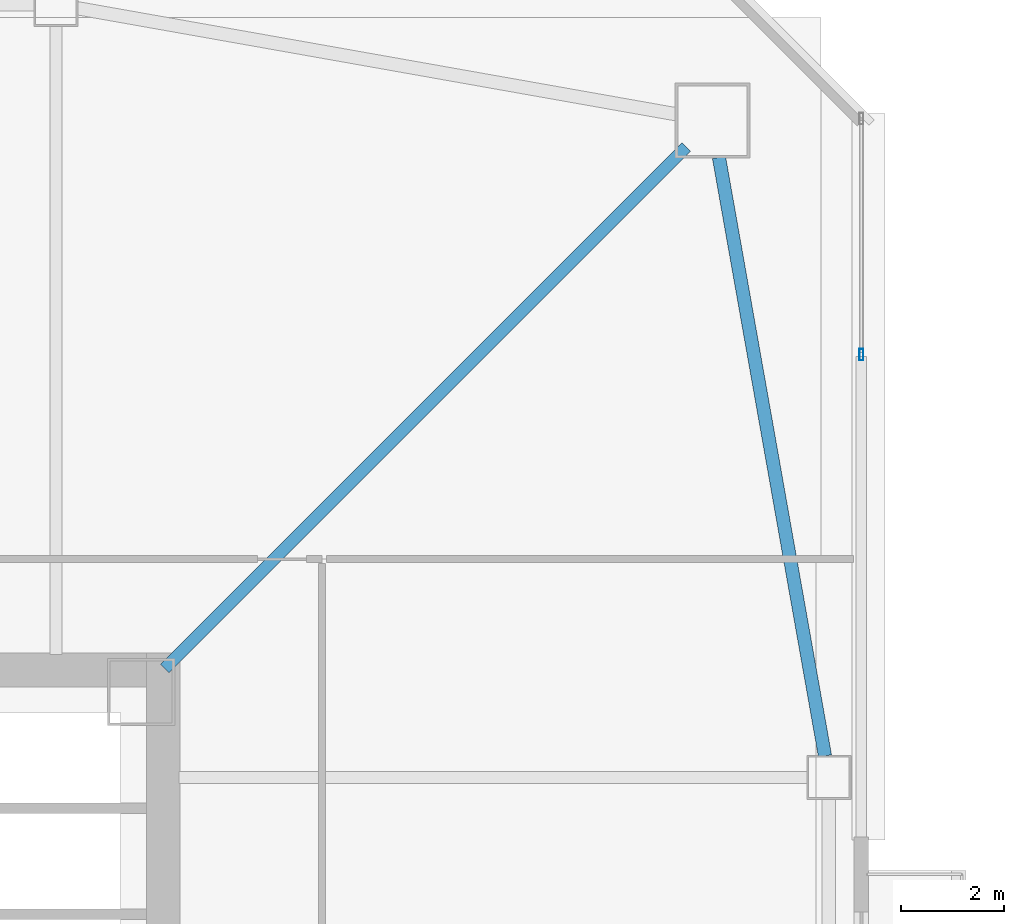
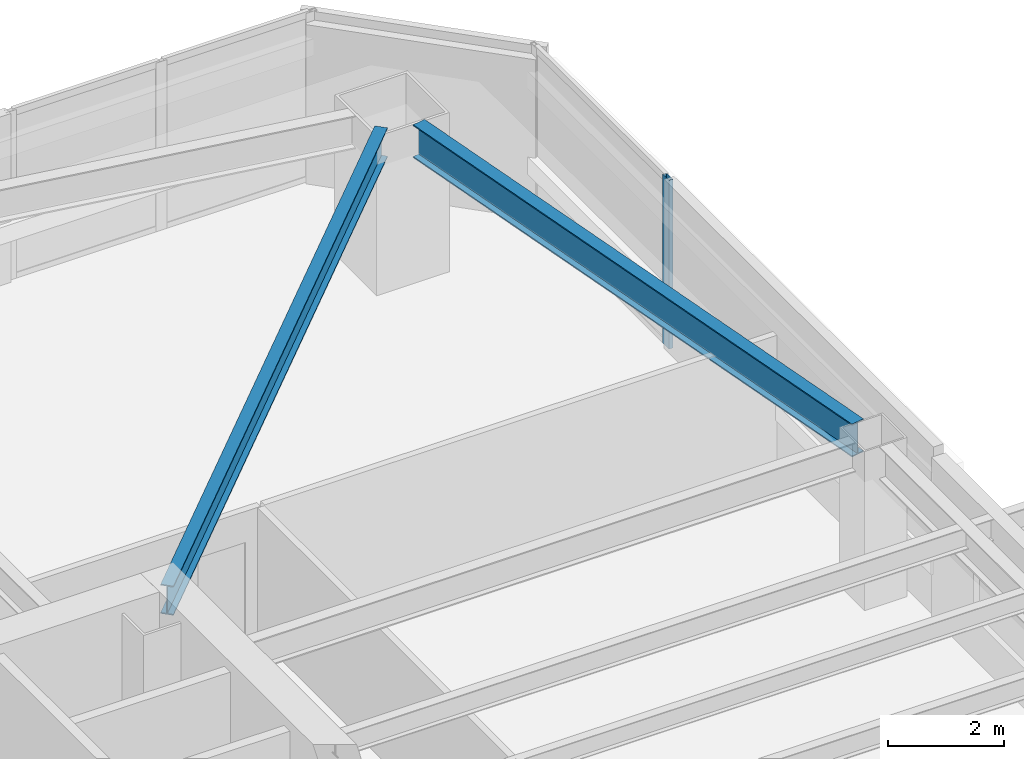
# One storey, part 14 of 44: 2 beams, 1 member, 1 element without a shape of its own.
"""IFC4 building model written with IfcOpenShell, lengths in metres."""

import ifcopenshell
import ifcopenshell.guid

model = None  # the IFC model being written
_history = None  # IfcOwnerHistory: only IFC2X3 demands one
_inside = {}  # id of a spatial element -> (the spatial element, [elements in it])
_under = {}  # id of a project, library or spatial element -> (it, [spatial elements below it])
_declared = {}  # id of a project -> (the project, [libraries it declares])
_typed = {}  # id of a type object -> (the type object, [elements of that type])
_made_of = {}  # id of a material, layer set ... -> (it, [elements and type objects made of it])


def new_model(schema):
    """Start an empty IFC model of exactly this schema.

    Asked for "IFC4X3", IfcOpenShell would pick the latest addendum, in which some entities
    have other attributes; the version numbers below select the first issue.
    IFC2X3 requires an IfcOwnerHistory on every rooted entity: one is made here for all.
    """
    global model, _history
    if schema == "IFC4X3":
        model = ifcopenshell.file(schema_version=(4, 3, 0, 0))
    else:
        model = ifcopenshell.file(schema=schema)
    _inside.clear()
    _under.clear()
    _declared.clear()
    _typed.clear()
    _made_of.clear()
    _history = None
    if model.schema == "IFC2X3":
        org = make("IfcOrganization", Name="unknown")
        user = make(
            "IfcPersonAndOrganization",
            ThePerson=make("IfcPerson", FamilyName="unknown"),
            TheOrganization=org,
        )
        app = make(
            "IfcApplication",
            ApplicationDeveloper=org,
            Version="unknown",
            ApplicationFullName="unknown",
            ApplicationIdentifier="unknown",
        )
        _history = make(
            "IfcOwnerHistory",
            OwningUser=user,
            OwningApplication=app,
            ChangeAction="ADDED",
            CreationDate=0,
        )
    return model


def make(cls, **values):
    """One entity of the class cls with the attributes given. An attribute that is None is left unset."""
    return model.create_entity(
        cls, **{name: value for name, value in values.items() if value is not None}
    )


def rooted(cls, **values):
    """An entity with a GlobalId (a new one), such as an element, a storey or a relation."""
    return make(cls, GlobalId=ifcopenshell.guid.new(), OwnerHistory=_history, **values)


def si_unit(unit_type, name, prefix=None):
    """IfcSIUnit, for example si_unit("LENGTHUNIT", "METRE", prefix="MILLI")."""
    return make("IfcSIUnit", UnitType=unit_type, Prefix=prefix, Name=name)


def assignment(units):
    """IfcUnitAssignment: the units of a project."""
    return None if units is None else make("IfcUnitAssignment", Units=units)


def point(xyz):
    """IfcCartesianPoint."""
    return None if xyz is None else make("IfcCartesianPoint", Coordinates=xyz)


def direction(xyz):
    """IfcDirection."""
    return None if xyz is None else make("IfcDirection", DirectionRatios=xyz)


def frame(location, z_axis=None, x_axis=None):
    """IfcAxis2Placement3D, a coordinate frame: its origin and axes. An axis left out is left unset."""
    return make(
        "IfcAxis2Placement3D",
        Location=point(location),
        Axis=direction(z_axis),
        RefDirection=direction(x_axis),
    )


def frame_2d(location, x_axis=None):
    """IfcAxis2Placement2D, a coordinate frame in the plane: its origin and x axis."""
    return make(
        "IfcAxis2Placement2D", Location=point(location), RefDirection=direction(x_axis)
    )


def origin():
    """The frame at (0, 0, 0) with its axes left unset."""
    return frame((0.0, 0.0, 0.0))


def origin_2d():
    """The frame at (0, 0) in the plane with its x axis left unset."""
    return frame_2d((0.0, 0.0))


def place(relative_to, where):
    """IfcLocalPlacement: puts the frame where relative to a parent placement (None: the world)."""
    return make(
        "IfcLocalPlacement", PlacementRelTo=relative_to, RelativePlacement=where
    )


def context(
    kind, dimensions, precision=None, world=None, true_north=None, identifier=None
):
    """IfcGeometricRepresentationContext, for example the 3D "Model" context."""
    return make(
        "IfcGeometricRepresentationContext",
        ContextIdentifier=identifier,
        ContextType=kind,
        CoordinateSpaceDimension=dimensions,
        Precision=precision,
        WorldCoordinateSystem=world,
        TrueNorth=true_north,
    )


def subcontext(parent, identifier, kind, view, scale=None):
    """IfcGeometricRepresentationSubContext, for example "Body" below "Model"."""
    return make(
        "IfcGeometricRepresentationSubContext",
        ContextIdentifier=identifier,
        ContextType=kind,
        ParentContext=parent,
        TargetScale=scale,
        TargetView=view,
    )


def project(units=None, contexts=None):
    """IfcProject with its units and contexts."""
    return rooted(
        "IfcProject",
        Name="project",
        RepresentationContexts=contexts,
        UnitsInContext=assignment(units),
    )


def spatial(cls, under=None, at=None, **own):
    """A site, building, storey or space (cls), placed at a placement, below another one or the project."""
    s = rooted(cls, ObjectPlacement=at, **own)
    if under is not None:
        _under.setdefault(under.id(), (under, []))[1].append(s)
    return s


def profile(cls, at=None, kind="AREA", **sizes):
    """A parametric profile (cls). Its sizes go by their IFC names, for example OverallWidth=200.0."""
    return make(cls, ProfileType=kind, Position=at, **sizes)


def hollow_rectangle(**sizes):
    """IfcRectangleHollowProfileDef."""
    return profile("IfcRectangleHollowProfileDef", **sizes)


def i_section(**sizes):
    """IfcIShapeProfileDef."""
    return profile("IfcIShapeProfileDef", **sizes)


def extrude(swept, where, along, depth):
    """IfcExtrudedAreaSolid: the profile swept, set in the frame where, extruded along a direction by depth."""
    return make(
        "IfcExtrudedAreaSolid",
        SweptArea=swept,
        Position=where,
        ExtrudedDirection=direction(along),
        Depth=depth,
    )


def shape(context_of_items, identifier, shape_type, items):
    """IfcShapeRepresentation: the items that make up one representation, for example the "Body"."""
    return make(
        "IfcShapeRepresentation",
        ContextOfItems=context_of_items,
        RepresentationIdentifier=identifier,
        RepresentationType=shape_type,
        Items=items,
    )


def material(Name=None, Category=None):
    """IfcMaterial."""
    return make("IfcMaterial", Name=Name, Category=Category)


def material_profile(
    of_material, cross_section, Name=None, Category=None, Priority=None
):
    """IfcMaterialProfile: a cross section and its material."""
    return make(
        "IfcMaterialProfile",
        Name=Name,
        Material=of_material,
        Profile=cross_section,
        Priority=Priority,
        Category=Category,
    )


def profile_set(profiles, Name=None, composite=None):
    """IfcMaterialProfileSet."""
    return make(
        "IfcMaterialProfileSet",
        Name=Name,
        MaterialProfiles=profiles,
        CompositeProfile=composite,
    )


def made_of(thing, what):
    """Note that an element or type object is made of a material, layer set ...; save() writes the relation."""
    if what is not None:
        _made_of.setdefault(what.id(), (what, []))[1].append(thing)
    return thing


def type_object(cls, material=None, **own):
    """A type object (cls), such as IfcWallType, which elements share."""
    return made_of(rooted(cls, **own), material)


def element(
    cls,
    number,
    at=None,
    inside=None,
    cuts=None,
    type_object=None,
    material=None,
    context=None,
    identifier="Body",
    shape_type=None,
    held_by="IfcProductDefinitionShape",
    body=None,
    shapes=None,
    **own,
):
    """One element of the class cls, such as IfcWall. Its Tag is "e" and its number.

    at: its placement. inside: the storey or other place that contains it. cuts: it is an
    opening in that element (IfcRelVoidsElement). A single representation is given by context,
    identifier, shape_type and body (its items); several are given by shapes. held_by: the class
    of the entity that holds the representations. save() writes the other relations.
    """
    e = rooted(cls, Tag="e%d" % number, ObjectPlacement=at, **own)
    if body is not None:
        shapes = [shape(context, identifier, shape_type, body)]
    if shapes is not None:
        e.Representation = make(held_by, Representations=shapes)
    if inside is not None:
        _inside.setdefault(inside.id(), (inside, []))[1].append(e)
    if cuts is not None:
        rooted(
            "IfcRelVoidsElement", RelatingBuildingElement=cuts, RelatedOpeningElement=e
        )
    if type_object is not None:
        _typed.setdefault(type_object.id(), (type_object, []))[1].append(e)
    return made_of(e, material)


def aggregate(whole, parts):
    """IfcRelAggregates: a whole, such as a stair, and the parts it consists of."""
    return rooted("IfcRelAggregates", RelatingObject=whole, RelatedObjects=parts)


def save(model, path):
    """Write the relations noted so far, then the file.

    IfcRelAggregates (storeys below a building ...), IfcRelContainedInSpatialStructure (elements
    in a storey), IfcRelDefinesByType, IfcRelAssociatesMaterial and IfcRelDeclares: one each for
    every whole, place, type object, material and project.
    """
    for whole, parts in _under.values():
        aggregate(whole, parts)
    for where, things in _inside.values():
        rooted(
            "IfcRelContainedInSpatialStructure",
            RelatedElements=things,
            RelatingStructure=where,
        )
    for kind, things in _typed.values():
        rooted("IfcRelDefinesByType", RelatedObjects=things, RelatingType=kind)
    for what, things in _made_of.values():
        rooted("IfcRelAssociatesMaterial", RelatedObjects=things, RelatingMaterial=what)
    for by, libraries in _declared.values():
        rooted("IfcRelDeclares", RelatingContext=by, RelatedDefinitions=libraries)
    model.write(path)


model = new_model("IFC4")

# Units and contexts
model_context = context("Model", 3, precision=1e-05, world=origin(), true_north=direction((0.0, 1.0)))
body_context = subcontext(model_context, "Body", "Model", "MODEL_VIEW")
ifc_project = project(units=[si_unit("LENGTHUNIT", "METRE"), si_unit("AREAUNIT", "SQUARE_METRE"), si_unit("VOLUMEUNIT", "CUBIC_METRE"), si_unit("PLANEANGLEUNIT", "RADIAN"), si_unit("MASSUNIT", "GRAM", prefix="KILO")], contexts=[model_context])

# Site, building, storey
site_placement = place(None, origin())
site = spatial("IfcSite", under=ifc_project, at=site_placement, CompositionType="ELEMENT")
building_placement = place(site_placement, origin())
building = spatial("IfcBuilding", under=site, at=building_placement, Name="Tashvorn Skyway Center", CompositionType="ELEMENT")
storey_placement = place(building_placement, frame((0.0, 0.0, 84.949951171875)))
storey = spatial("IfcBuildingStorey", under=building, at=storey_placement, Name="L22", CompositionType="ELEMENT", Elevation=84.949951171875)

# Beams
ifc_material_1 = material(Name="Steel ASTM A992 Grade 50", Category="steel")
ifc_material_profile_1 = material_profile(ifc_material_1, i_section(OverallWidth=0.22998046875, OverallDepth=0.616943359375, WebThickness=0.01318359375, FlangeThickness=0.022216796875, at=origin_2d()), Name="W24X94")
ifc_profile_set_1 = profile_set([ifc_material_profile_1], Name="Steel ASTM A992 Grade 50")
beam_type_1 = type_object("IfcBeamType", Name="BM-BEAM-W24X94", PredefinedType="BEAM", material=ifc_profile_set_1)
beam_1_placement = place(storey_placement, frame((59.5908203125, 49.5908203125, 3.04150390625), z_axis=(-0.707106781187, -0.707106781187, 0.0), x_axis=(0.707106781187, -0.707106781187, 0.0)))
element("IfcBeam", 1, at=beam_1_placement, inside=storey, type_object=beam_type_1, Name="Tower 1 L22 Primary Floor Girder MC-NE", PredefinedType="BEAM", context=body_context, shape_type="SweptSolid", body=[
    extrude(i_section(OverallWidth=0.22998046875, OverallDepth=0.616943359375, WebThickness=0.01318359375, FlangeThickness=0.022216796875, at=origin_2d()), origin(), (0.0, 0.0, 1.0), 14.261962890625),
])
ifc_material_profile_2 = material_profile(ifc_material_1, i_section(OverallWidth=0.256103515625, OverallDepth=0.693115234375, WebThickness=0.014404296875, FlangeThickness=0.023681640625, at=origin_2d()), Name="W27X114")
ifc_profile_set_2 = profile_set([ifc_material_profile_2], Name="Steel ASTM A992 Grade 50")
beam_type_2 = type_object("IfcBeamType", Name="BM-SPANDREL-W27X114", PredefinedType="SPANDREL", material=ifc_profile_set_2)
beam_2_placement = place(storey_placement, frame((62.276611328125, 37.8134765625, 3.003662109375), z_axis=(-0.174437966698, 0.98466816531, 0.0), x_axis=(-0.98466816531, -0.174437966698, 0.0)))
element("IfcBeam", 2, at=beam_2_placement, inside=storey, type_object=beam_type_2, Name="Tower 1 L22 Spandrel Beam 06", PredefinedType="SPANDREL", context=body_context, shape_type="SweptSolid", body=[
    extrude(i_section(OverallWidth=0.256103515625, OverallDepth=0.693115234375, WebThickness=0.014404296875, FlangeThickness=0.023681640625, at=origin_2d()), origin(), (0.0, 0.0, 1.0), 11.7578125),
])

# Curtain wall, member
ifc_material_2 = material(Name="Thermally broken bronze-anodized aluminium 6063-T6", Category="aluminium")
curtain_wall_type = type_object("IfcCurtainWallType", Name="CW-CW-Z2", PredefinedType="NOTDEFINED", material=ifc_material_2)
curtain_wall_placement = place(storey_placement, origin())
curtain_wall = element("IfcCurtainWall", 3, at=curtain_wall_placement, inside=storey, type_object=curtain_wall_type, Name="Tower 1 L22 East Curtain Wall L Glazing Group 1", PredefinedType="NOTDEFINED")
ifc_material_profile_3 = material_profile(ifc_material_2, hollow_rectangle(XDim=0.080078125, YDim=0.219970703125, WallThickness=0.0048828125, at=origin_2d()), Name="ALU-MULL-80x220")
ifc_profile_set_3 = profile_set([ifc_material_profile_3], Name="Thermally broken bronze-anodized aluminium 6063-T6")
member_type = type_object("IfcMemberType", Name="CWM-CW-Z2", PredefinedType="MULLION", material=ifc_profile_set_3)
member_placement = place(storey_placement, frame((62.97998046875, 45.57666015625, 0.0), z_axis=(0.0, 0.0, 1.0), x_axis=(1.0, 0.0, 0.0)))
member = element("IfcMember", 4, at=member_placement, type_object=member_type, Name="CW-Z2 mullion 2", PredefinedType="MULLION", context=body_context, shape_type="SweptSolid", body=[
    extrude(hollow_rectangle(XDim=0.080078125, YDim=0.219970703125, WallThickness=0.0048828125, at=origin_2d()), origin(), (0.0, 0.0, 1.0), 3.550048828125),
])
aggregate(curtain_wall, [member])

save(model, "model.ifc")
